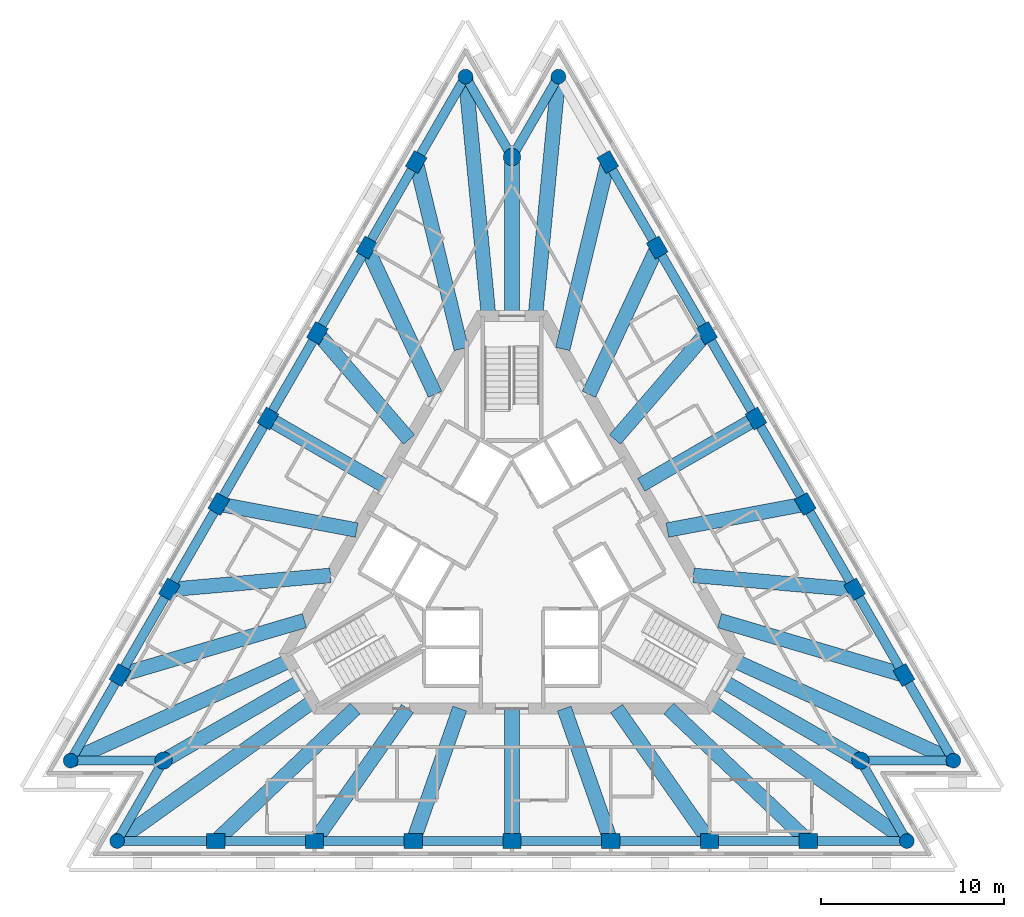
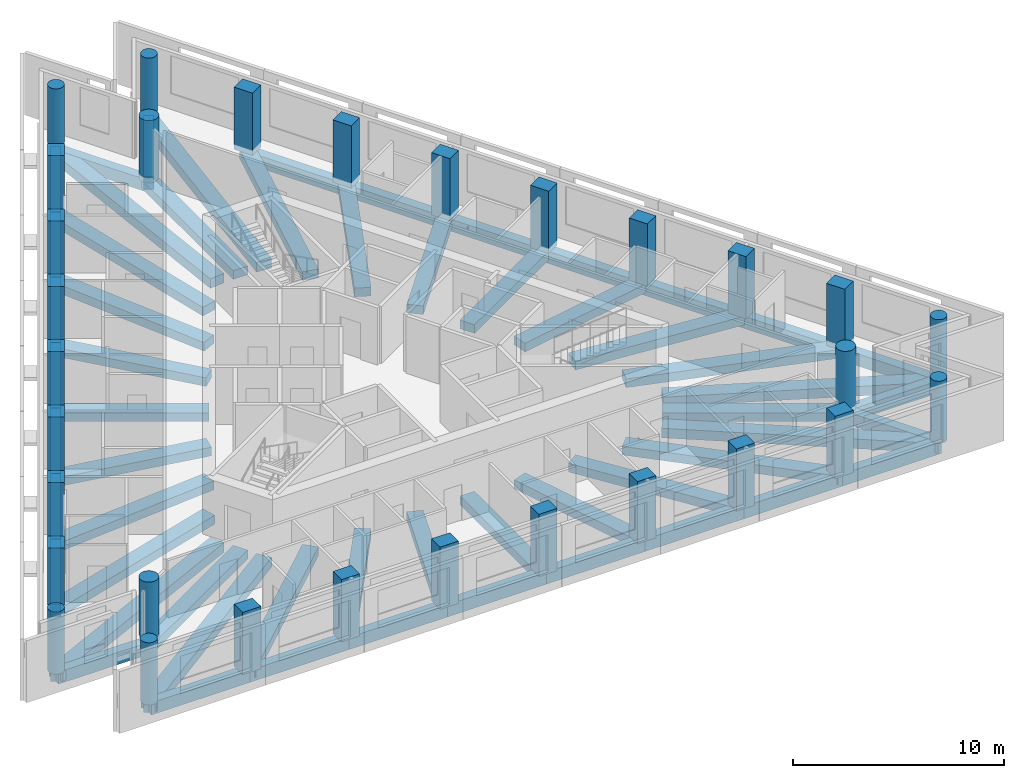
# One storey, part 1 of 10: 59 beams, 30 columns.
"""IFC4 building model written with IfcOpenShell, lengths in metres."""

import ifcopenshell
import ifcopenshell.guid

model = None  # the IFC model being written
_history = None  # IfcOwnerHistory: only IFC2X3 demands one
_inside = {}  # id of a spatial element -> (the spatial element, [elements in it])
_under = {}  # id of a project, library or spatial element -> (it, [spatial elements below it])
_declared = {}  # id of a project -> (the project, [libraries it declares])
_typed = {}  # id of a type object -> (the type object, [elements of that type])
_made_of = {}  # id of a material, layer set ... -> (it, [elements and type objects made of it])


def new_model(schema):
    """Start an empty IFC model of exactly this schema.

    Asked for "IFC4X3", IfcOpenShell would pick the latest addendum, in which some entities
    have other attributes; the version numbers below select the first issue.
    IFC2X3 requires an IfcOwnerHistory on every rooted entity: one is made here for all.
    """
    global model, _history
    if schema == "IFC4X3":
        model = ifcopenshell.file(schema_version=(4, 3, 0, 0))
    else:
        model = ifcopenshell.file(schema=schema)
    _inside.clear()
    _under.clear()
    _declared.clear()
    _typed.clear()
    _made_of.clear()
    _history = None
    if model.schema == "IFC2X3":
        org = make("IfcOrganization", Name="unknown")
        user = make(
            "IfcPersonAndOrganization",
            ThePerson=make("IfcPerson", FamilyName="unknown"),
            TheOrganization=org,
        )
        app = make(
            "IfcApplication",
            ApplicationDeveloper=org,
            Version="unknown",
            ApplicationFullName="unknown",
            ApplicationIdentifier="unknown",
        )
        _history = make(
            "IfcOwnerHistory",
            OwningUser=user,
            OwningApplication=app,
            ChangeAction="ADDED",
            CreationDate=0,
        )
    return model


def make(cls, **values):
    """One entity of the class cls with the attributes given. An attribute that is None is left unset."""
    return model.create_entity(
        cls, **{name: value for name, value in values.items() if value is not None}
    )


def rooted(cls, **values):
    """An entity with a GlobalId (a new one), such as an element, a storey or a relation."""
    return make(cls, GlobalId=ifcopenshell.guid.new(), OwnerHistory=_history, **values)


def si_unit(unit_type, name, prefix=None):
    """IfcSIUnit, for example si_unit("LENGTHUNIT", "METRE", prefix="MILLI")."""
    return make("IfcSIUnit", UnitType=unit_type, Prefix=prefix, Name=name)


def assignment(units):
    """IfcUnitAssignment: the units of a project."""
    return None if units is None else make("IfcUnitAssignment", Units=units)


def point(xyz):
    """IfcCartesianPoint."""
    return None if xyz is None else make("IfcCartesianPoint", Coordinates=xyz)


def direction(xyz):
    """IfcDirection."""
    return None if xyz is None else make("IfcDirection", DirectionRatios=xyz)


def frame(location, z_axis=None, x_axis=None):
    """IfcAxis2Placement3D, a coordinate frame: its origin and axes. An axis left out is left unset."""
    return make(
        "IfcAxis2Placement3D",
        Location=point(location),
        Axis=direction(z_axis),
        RefDirection=direction(x_axis),
    )


def frame_2d(location, x_axis=None):
    """IfcAxis2Placement2D, a coordinate frame in the plane: its origin and x axis."""
    return make(
        "IfcAxis2Placement2D", Location=point(location), RefDirection=direction(x_axis)
    )


def origin():
    """The frame at (0, 0, 0) with its axes left unset."""
    return frame((0.0, 0.0, 0.0))


def origin_2d():
    """The frame at (0, 0) in the plane with its x axis left unset."""
    return frame_2d((0.0, 0.0))


def place(relative_to, where):
    """IfcLocalPlacement: puts the frame where relative to a parent placement (None: the world)."""
    return make(
        "IfcLocalPlacement", PlacementRelTo=relative_to, RelativePlacement=where
    )


def context(
    kind, dimensions, precision=None, world=None, true_north=None, identifier=None
):
    """IfcGeometricRepresentationContext, for example the 3D "Model" context."""
    return make(
        "IfcGeometricRepresentationContext",
        ContextIdentifier=identifier,
        ContextType=kind,
        CoordinateSpaceDimension=dimensions,
        Precision=precision,
        WorldCoordinateSystem=world,
        TrueNorth=true_north,
    )


def subcontext(parent, identifier, kind, view, scale=None):
    """IfcGeometricRepresentationSubContext, for example "Body" below "Model"."""
    return make(
        "IfcGeometricRepresentationSubContext",
        ContextIdentifier=identifier,
        ContextType=kind,
        ParentContext=parent,
        TargetScale=scale,
        TargetView=view,
    )


def project(units=None, contexts=None):
    """IfcProject with its units and contexts."""
    return rooted(
        "IfcProject",
        Name="project",
        RepresentationContexts=contexts,
        UnitsInContext=assignment(units),
    )


def spatial(cls, under=None, at=None, **own):
    """A site, building, storey or space (cls), placed at a placement, below another one or the project."""
    s = rooted(cls, ObjectPlacement=at, **own)
    if under is not None:
        _under.setdefault(under.id(), (under, []))[1].append(s)
    return s


def profile(cls, at=None, kind="AREA", **sizes):
    """A parametric profile (cls). Its sizes go by their IFC names, for example OverallWidth=200.0."""
    return make(cls, ProfileType=kind, Position=at, **sizes)


def rectangle(**sizes):
    """IfcRectangleProfileDef."""
    return profile("IfcRectangleProfileDef", **sizes)


def circle(**sizes):
    """IfcCircleProfileDef."""
    return profile("IfcCircleProfileDef", **sizes)


def extrude(swept, where, along, depth):
    """IfcExtrudedAreaSolid: the profile swept, set in the frame where, extruded along a direction by depth."""
    return make(
        "IfcExtrudedAreaSolid",
        SweptArea=swept,
        Position=where,
        ExtrudedDirection=direction(along),
        Depth=depth,
    )


def shape(context_of_items, identifier, shape_type, items):
    """IfcShapeRepresentation: the items that make up one representation, for example the "Body"."""
    return make(
        "IfcShapeRepresentation",
        ContextOfItems=context_of_items,
        RepresentationIdentifier=identifier,
        RepresentationType=shape_type,
        Items=items,
    )


def material(Name=None, Category=None):
    """IfcMaterial."""
    return make("IfcMaterial", Name=Name, Category=Category)


def material_profile(
    of_material, cross_section, Name=None, Category=None, Priority=None
):
    """IfcMaterialProfile: a cross section and its material."""
    return make(
        "IfcMaterialProfile",
        Name=Name,
        Material=of_material,
        Profile=cross_section,
        Priority=Priority,
        Category=Category,
    )


def profile_set(profiles, Name=None, composite=None):
    """IfcMaterialProfileSet."""
    return make(
        "IfcMaterialProfileSet",
        Name=Name,
        MaterialProfiles=profiles,
        CompositeProfile=composite,
    )


def made_of(thing, what):
    """Note that an element or type object is made of a material, layer set ...; save() writes the relation."""
    if what is not None:
        _made_of.setdefault(what.id(), (what, []))[1].append(thing)
    return thing


def type_object(cls, material=None, **own):
    """A type object (cls), such as IfcWallType, which elements share."""
    return made_of(rooted(cls, **own), material)


def element(
    cls,
    number,
    at=None,
    inside=None,
    cuts=None,
    type_object=None,
    material=None,
    context=None,
    identifier="Body",
    shape_type=None,
    held_by="IfcProductDefinitionShape",
    body=None,
    shapes=None,
    **own,
):
    """One element of the class cls, such as IfcWall. Its Tag is "e" and its number.

    at: its placement. inside: the storey or other place that contains it. cuts: it is an
    opening in that element (IfcRelVoidsElement). A single representation is given by context,
    identifier, shape_type and body (its items); several are given by shapes. held_by: the class
    of the entity that holds the representations. save() writes the other relations.
    """
    e = rooted(cls, Tag="e%d" % number, ObjectPlacement=at, **own)
    if body is not None:
        shapes = [shape(context, identifier, shape_type, body)]
    if shapes is not None:
        e.Representation = make(held_by, Representations=shapes)
    if inside is not None:
        _inside.setdefault(inside.id(), (inside, []))[1].append(e)
    if cuts is not None:
        rooted(
            "IfcRelVoidsElement", RelatingBuildingElement=cuts, RelatedOpeningElement=e
        )
    if type_object is not None:
        _typed.setdefault(type_object.id(), (type_object, []))[1].append(e)
    return made_of(e, material)


def aggregate(whole, parts):
    """IfcRelAggregates: a whole, such as a stair, and the parts it consists of."""
    return rooted("IfcRelAggregates", RelatingObject=whole, RelatedObjects=parts)


def save(model, path):
    """Write the relations noted so far, then the file.

    IfcRelAggregates (storeys below a building ...), IfcRelContainedInSpatialStructure (elements
    in a storey), IfcRelDefinesByType, IfcRelAssociatesMaterial and IfcRelDeclares: one each for
    every whole, place, type object, material and project.
    """
    for whole, parts in _under.values():
        aggregate(whole, parts)
    for where, things in _inside.values():
        rooted(
            "IfcRelContainedInSpatialStructure",
            RelatedElements=things,
            RelatingStructure=where,
        )
    for kind, things in _typed.values():
        rooted("IfcRelDefinesByType", RelatedObjects=things, RelatingType=kind)
    for what, things in _made_of.values():
        rooted("IfcRelAssociatesMaterial", RelatedObjects=things, RelatingMaterial=what)
    for by, libraries in _declared.values():
        rooted("IfcRelDeclares", RelatingContext=by, RelatedDefinitions=libraries)
    model.write(path)


model = new_model("IFC4")

# Units and contexts
model_context = context("Model", 3, precision=1e-05, world=origin(), true_north=direction((0.0, 1.0)))
body_context = subcontext(model_context, "Body", "Model", "MODEL_VIEW")
ifc_project = project(units=[si_unit("LENGTHUNIT", "METRE"), si_unit("AREAUNIT", "SQUARE_METRE"), si_unit("VOLUMEUNIT", "CUBIC_METRE"), si_unit("PLANEANGLEUNIT", "RADIAN"), si_unit("MASSUNIT", "GRAM", prefix="KILO")], contexts=[model_context])

# Site, building, storey
site_placement = place(None, origin())
site = spatial("IfcSite", under=ifc_project, at=site_placement, CompositionType="ELEMENT")
building_placement = place(site_placement, origin())
building = spatial("IfcBuilding", under=site, at=building_placement, Name="Triada Interchange Tower", CompositionType="ELEMENT")
storey_placement = place(building_placement, frame((0.0, 0.0, 297.10009765625)))
storey = spatial("IfcBuildingStorey", under=building, at=storey_placement, Name="L70", CompositionType="ELEMENT", Elevation=297.10009765625)

# Columns
ifc_material_1 = material(Name="Concrete C40/50", Category="concrete")
ifc_material_profile_1 = material_profile(ifc_material_1, rectangle(XDim=1.0, YDim=0.800048828125, at=origin_2d()), Name="RC 1000x800")
ifc_profile_set_1 = profile_set([ifc_material_profile_1], Name="Concrete C40/50")
column_type_1 = type_object("IfcColumnType", Name="Column D face RC 1000x800", PredefinedType="COLUMN", material=ifc_profile_set_1)
for number, where, z_axis, x_axis, name in (
    (1, (-5.236083984375, 21.7099609375, -0.300048828125), (0.0, 0.0, 1.0), (0.5, 0.866025403784, 0.0), "Column CD02 L70"),
    (2, (-7.93408203125, 17.0380859375, -0.300048828125), (0.0, 0.0, 1.0), (0.5, 0.866025403784, 0.0), "Column CD03 L70"),
    (3, (-10.631103515625, 12.366943359375, -0.300048828125), (0.0, 0.0, 1.0), (0.5, 0.866025403784, 0.0), "Column CD04 L70"),
    (4, (-13.327880859375, 7.695068359375, -0.300048828125), (0.0, 0.0, 1.0), (0.5, 0.866025403784, 0.0), "Column CD05 L70"),
    (5, (-16.02490234375, 3.02294921875, -0.300048828125), (0.0, 0.0, 1.0), (0.5, 0.866025403784, 0.0), "Column CD06 L70"),
    (6, (-18.721923828125, -1.64892578125, -0.300048828125), (0.0, 0.0, 1.0), (0.5, 0.866025403784, 0.0), "Column CD07 L70"),
    (7, (-21.419921875, -6.320068359375, -0.300048828125), (0.0, 0.0, 1.0), (0.5, 0.866025403784, 0.0), "Column CD08 L70"),
    (8, (-16.18310546875, -15.389892578125, -0.300048828125), (0.0, 0.0, 1.0), (1.0, 0.0, 0.0), "Column CD11 L70"),
    (9, (-10.7880859375, -15.389892578125, -0.300048828125), (0.0, 0.0, 1.0), (1.0, 0.0, 0.0), "Column CD12 L70"),
    (10, (-5.39404296875, -15.389892578125, -0.300048828125), (0.0, 0.0, 1.0), (1.0, 0.0, 0.0), "Column CD13 L70"),
    (11, (0.0, -15.389892578125, -0.300048828125), (0.0, 0.0, 1.0), (1.0, 0.0, 0.0), "Column CD14 L70"),
    (12, (5.39404296875, -15.389892578125, -0.300048828125), (0.0, 0.0, 1.0), (1.0, 0.0, 0.0), "Column CD15 L70"),
    (13, (10.7890625, -15.389892578125, -0.300048828125), (0.0, 0.0, 1.0), (1.0, 0.0, 0.0), "Column CD16 L70"),
    (14, (16.18310546875, -15.389892578125, -0.300048828125), (0.0, 0.0, 1.0), (1.0, 0.0, 0.0), "Column CD17 L70"),
    (15, (21.419921875, -6.320068359375, -0.300048828125), (0.0, 0.0, 1.0), (-0.5, 0.866025403784, 0.0), "Column CD20 L70"),
    (16, (18.721923828125, -1.64892578125, -0.300048828125), (0.0, 0.0, 1.0), (-0.5, 0.866025403784, 0.0), "Column CD21 L70"),
    (17, (16.02490234375, 3.02294921875, -0.300048828125), (0.0, 0.0, 1.0), (-0.5, 0.866025403784, 0.0), "Column CD22 L70"),
    (18, (13.327880859375, 7.695068359375, -0.300048828125), (0.0, 0.0, 1.0), (-0.5, 0.866025403784, 0.0), "Column CD23 L70"),
    (19, (10.631103515625, 12.366943359375, -0.300048828125), (0.0, 0.0, 1.0), (-0.5, 0.866025403784, 0.0), "Column CD24 L70"),
    (20, (7.93408203125, 17.0390625, -0.300048828125), (0.0, 0.0, 1.0), (-0.5, 0.866025403784, 0.0), "Column CD25 L70"),
    (21, (5.236083984375, 21.7099609375, -0.300048828125), (0.0, 0.0, 1.0), (-0.5, 0.866025403784, 0.0), "Column CD26 L70"),
):
    element("IfcColumn", number, at=place(storey_placement, frame(where, z_axis=z_axis, x_axis=x_axis)), inside=storey, type_object=column_type_1, Name=name, PredefinedType="COLUMN", context=body_context, shape_type="SweptSolid", body=[
        extrude(rectangle(XDim=1.0, YDim=0.800048828125, at=origin_2d()), origin(), (0.0, 0.0, 1.0), 3.599853515625),
    ])
ifc_material_profile_2 = material_profile(ifc_material_1, circle(Radius=0.39990234375, at=origin_2d()), Name="RC D800")
ifc_profile_set_2 = profile_set([ifc_material_profile_2], Name="Concrete C40/50")
column_type_2 = type_object("IfcColumnType", Name="End column D RC D800", PredefinedType="COLUMN", material=ifc_profile_set_2)
for number, where, z_axis, x_axis, name in (
    (22, (-2.5390625, 26.382080078125, -0.300048828125), (0.0, 0.0, 1.0), (0.5, 0.866025403784, 0.0), "Column CD01 L70"),
    (23, (-24.116943359375, -10.991943359375, -0.300048828125), (0.0, 0.0, 1.0), (0.5, 0.866025403784, 0.0), "Column CD09 L70"),
    (24, (-21.576904296875, -15.389892578125, -0.300048828125), (0.0, 0.0, 1.0), (1.0, 0.0, 0.0), "Column CD10 L70"),
    (25, (21.576904296875, -15.389892578125, -0.300048828125), (0.0, 0.0, 1.0), (1.0, 0.0, 0.0), "Column CD18 L70"),
    (26, (24.116943359375, -10.991943359375, -0.300048828125), (0.0, 0.0, 1.0), (-0.5, 0.866025403784, 0.0), "Column CD19 L70"),
    (27, (2.5390625, 26.382080078125, -0.300048828125), (0.0, 0.0, 1.0), (-0.5, 0.866025403784, 0.0), "Column CD27 L70"),
):
    element("IfcColumn", number, at=place(storey_placement, frame(where, z_axis=z_axis, x_axis=x_axis)), inside=storey, type_object=column_type_2, Name=name, PredefinedType="COLUMN", context=body_context, shape_type="SweptSolid", body=[
        extrude(circle(Radius=0.39990234375, at=origin_2d()), origin(), (0.0, 0.0, 1.0), 3.599853515625),
    ])
ifc_material_profile_3 = material_profile(ifc_material_1, circle(Radius=0.47509765625, at=origin_2d()), Name="RC D950")
ifc_profile_set_3 = profile_set([ifc_material_profile_3], Name="Concrete C40/50")
column_type_3 = type_object("IfcColumnType", Name="Mega column D RC D950", PredefinedType="COLUMN", material=ifc_profile_set_3)
for number, where, z_axis, x_axis, name in (
    (28, (0.0, 21.98291015625, -0.300048828125), (0.0, 0.0, 1.0), (1.0, 0.0, 0.0), "Column MD1 L70"),
    (29, (-19.0380859375, -10.991943359375, -0.300048828125), (0.0, 0.0, 1.0), (1.0, 0.0, 0.0), "Column MD2 L70"),
    (30, (19.0380859375, -10.991943359375, -0.300048828125), (0.0, 0.0, 1.0), (1.0, 0.0, 0.0), "Column MD3 L70"),
):
    element("IfcColumn", number, at=place(storey_placement, frame(where, z_axis=z_axis, x_axis=x_axis)), inside=storey, type_object=column_type_3, Name=name, PredefinedType="COLUMN", context=body_context, shape_type="SweptSolid", body=[
        extrude(circle(Radius=0.47509765625, at=origin_2d()), origin(), (0.0, 0.0, 1.0), 3.599853515625),
    ])

# Beams
ifc_material_2 = material(Name="Concrete C50/60", Category="concrete")
ifc_material_profile_4 = material_profile(ifc_material_2, rectangle(XDim=0.800048828125, YDim=0.5, at=origin_2d()), Name="RC 800x500")
ifc_profile_set_4 = profile_set([ifc_material_profile_4], Name="Concrete C50/60")
beam_type_1 = type_object("IfcBeamType", Name="Radial band beam D RC 800x500", PredefinedType="BEAM", material=ifc_profile_set_4)
beam_1_placement = place(storey_placement, frame((-5.236083984375, 21.7099609375, -0.550048828125), z_axis=(0.234456524391, -0.97212660604, 0.0), x_axis=(0.97212660604, 0.234456524391, 0.0)))
element("IfcBeam", 31, at=beam_1_placement, inside=storey, type_object=beam_type_1, Name="Radial band beam BD02 L70", PredefinedType="BEAM", context=body_context, shape_type="SweptSolid", body=[
    extrude(rectangle(XDim=0.800048828125, YDim=0.5, at=origin_2d()), origin(), (0.0, 0.0, 1.0), 10.505615234375),
])
beam_2_placement = place(storey_placement, frame((-7.93408203125, 17.0380859375, -0.550048828125), z_axis=(0.422121923077, -0.906539068137, 0.0), x_axis=(0.906539068137, 0.422121923077, 0.0)))
element("IfcBeam", 32, at=beam_2_placement, inside=storey, type_object=beam_type_1, Name="Radial band beam BD03 L70", PredefinedType="BEAM", context=body_context, shape_type="SweptSolid", body=[
    extrude(rectangle(XDim=0.800048828125, YDim=0.5, at=origin_2d()), origin(), (0.0, 0.0, 1.0), 8.841552734375),
])
beam_3_placement = place(storey_placement, frame((-10.631103515625, 12.366943359375, -0.550048828125), z_axis=(0.651878277137, -0.758323619437, 0.0), x_axis=(0.758323619437, 0.651878277137, 0.0)))
element("IfcBeam", 33, at=beam_3_placement, inside=storey, type_object=beam_type_1, Name="Radial band beam BD04 L70", PredefinedType="BEAM", context=body_context, shape_type="SweptSolid", body=[
    extrude(rectangle(XDim=0.800048828125, YDim=0.5, at=origin_2d()), origin(), (0.0, 0.0, 1.0), 7.672119140625),
])
beam_4_placement = place(storey_placement, frame((-13.327880859375, 7.695068359375, -0.550048828125), z_axis=(0.866009812298, -0.500027004274, 0.0), x_axis=(0.500027004274, 0.866009812298, 0.0)))
element("IfcBeam", 34, at=beam_4_placement, inside=storey, type_object=beam_type_1, Name="Radial band beam BD05 L70", PredefinedType="BEAM", context=body_context, shape_type="SweptSolid", body=[
    extrude(rectangle(XDim=0.800048828125, YDim=0.5, at=origin_2d()), origin(), (0.0, 0.0, 1.0), 7.23974609375),
])
beam_5_placement = place(storey_placement, frame((-16.02490234375, 3.02294921875, -0.550048828125), z_axis=(0.982674560134, -0.185339442282, 0.0), x_axis=(0.185339442282, 0.982674560134, 0.0)))
element("IfcBeam", 35, at=beam_5_placement, inside=storey, type_object=beam_type_1, Name="Radial band beam BD06 L70", PredefinedType="BEAM", context=body_context, shape_type="SweptSolid", body=[
    extrude(rectangle(XDim=0.800048828125, YDim=0.5, at=origin_2d()), origin(), (0.0, 0.0, 1.0), 7.671630859375),
])
beam_6_placement = place(storey_placement, frame((-18.721923828125, -1.64892578125, -0.550048828125), z_axis=(0.996141716399, 0.087759220878, 0.0), x_axis=(-0.087759220878, 0.996141716399, 0.0)))
element("IfcBeam", 36, at=beam_6_placement, inside=storey, type_object=beam_type_1, Name="Radial band beam BD07 L70", PredefinedType="BEAM", context=body_context, shape_type="SweptSolid", body=[
    extrude(rectangle(XDim=0.800048828125, YDim=0.5, at=origin_2d()), origin(), (0.0, 0.0, 1.0), 8.841064453125),
])
beam_7_placement = place(storey_placement, frame((-21.419921875, -6.320068359375, -0.550048828125), z_axis=(0.95912426732, 0.282985229011, 0.0), x_axis=(-0.282985229011, 0.95912426732, 0.0)))
element("IfcBeam", 37, at=beam_7_placement, inside=storey, type_object=beam_type_1, Name="Radial band beam BD08 L70", PredefinedType="BEAM", context=body_context, shape_type="SweptSolid", body=[
    extrude(rectangle(XDim=0.800048828125, YDim=0.5, at=origin_2d()), origin(), (0.0, 0.0, 1.0), 10.50634765625),
])
beam_8_placement = place(storey_placement, frame((-19.0380859375, -10.991943359375, -0.550048828125), z_axis=(0.866007665204, 0.500030722864, 0.0), x_axis=(-0.500030722864, 0.866007665204, 0.0)))
element("IfcBeam", 38, at=beam_8_placement, inside=storey, type_object=beam_type_1, Name="Radial band beam BD10 L70", PredefinedType="BEAM", context=body_context, shape_type="SweptSolid", body=[
    extrude(rectangle(XDim=0.800048828125, YDim=0.5, at=origin_2d()), origin(), (0.0, 0.0, 1.0), 8.68359375),
])
beam_9_placement = place(storey_placement, frame((-16.18310546875, -15.389892578125, -0.550048828125), z_axis=(0.724637873853, 0.689129851173, 0.0), x_axis=(-0.689129851173, 0.724637873853, 0.0)))
element("IfcBeam", 39, at=beam_9_placement, inside=storey, type_object=beam_type_1, Name="Radial band beam BD12 L70", PredefinedType="BEAM", context=body_context, shape_type="SweptSolid", body=[
    extrude(rectangle(XDim=0.800048828125, YDim=0.5, at=origin_2d()), origin(), (0.0, 0.0, 1.0), 10.506103515625),
])
beam_10_placement = place(storey_placement, frame((-10.7880859375, -15.389892578125, -0.550048828125), z_axis=(0.574008907358, 0.818849054633, 0.0), x_axis=(-0.818849054633, 0.574008907358, 0.0)))
element("IfcBeam", 40, at=beam_10_placement, inside=storey, type_object=beam_type_1, Name="Radial band beam BD13 L70", PredefinedType="BEAM", context=body_context, shape_type="SweptSolid", body=[
    extrude(rectangle(XDim=0.800048828125, YDim=0.5, at=origin_2d()), origin(), (0.0, 0.0, 1.0), 8.841552734375),
])
beam_11_placement = place(storey_placement, frame((-5.39404296875, -15.389892578125, -0.550048828125), z_axis=(0.330825237712, 0.94369203774, 0.0), x_axis=(-0.94369203774, 0.330825237712, 0.0)))
element("IfcBeam", 41, at=beam_11_placement, inside=storey, type_object=beam_type_1, Name="Radial band beam BD14 L70", PredefinedType="BEAM", context=body_context, shape_type="SweptSolid", body=[
    extrude(rectangle(XDim=0.800048828125, YDim=0.5, at=origin_2d()), origin(), (0.0, 0.0, 1.0), 7.671875),
])
beam_12_placement = place(storey_placement, frame((0.0, -15.389892578125, -0.550048828125), z_axis=(0.0, 1.0, 0.0), x_axis=(-1.0, 0.0, 0.0)))
element("IfcBeam", 42, at=beam_12_placement, inside=storey, type_object=beam_type_1, Name="Radial band beam BD15 L70", PredefinedType="BEAM", context=body_context, shape_type="SweptSolid", body=[
    extrude(rectangle(XDim=0.800048828125, YDim=0.5, at=origin_2d()), origin(), (0.0, 0.0, 1.0), 7.239990234375),
])
beam_13_placement = place(storey_placement, frame((5.39404296875, -15.389892578125, -0.550048828125), z_axis=(-0.330825237712, 0.94369203774, 0.0), x_axis=(-0.94369203774, -0.330825237712, 0.0)))
element("IfcBeam", 43, at=beam_13_placement, inside=storey, type_object=beam_type_1, Name="Radial band beam BD16 L70", PredefinedType="BEAM", context=body_context, shape_type="SweptSolid", body=[
    extrude(rectangle(XDim=0.800048828125, YDim=0.5, at=origin_2d()), origin(), (0.0, 0.0, 1.0), 7.671875),
])
beam_14_placement = place(storey_placement, frame((10.7890625, -15.389892578125, -0.550048828125), z_axis=(-0.574082958595, 0.818797140109, 0.0), x_axis=(-0.818797140109, -0.574082958595, 0.0)))
element("IfcBeam", 44, at=beam_14_placement, inside=storey, type_object=beam_type_1, Name="Radial band beam BD17 L70", PredefinedType="BEAM", context=body_context, shape_type="SweptSolid", body=[
    extrude(rectangle(XDim=0.800048828125, YDim=0.5, at=origin_2d()), origin(), (0.0, 0.0, 1.0), 8.84228515625),
])
beam_15_placement = place(storey_placement, frame((16.18310546875, -15.389892578125, -0.550048828125), z_axis=(-0.724637873853, 0.689129851173, 0.0), x_axis=(-0.689129851173, -0.724637873853, 0.0)))
element("IfcBeam", 45, at=beam_15_placement, inside=storey, type_object=beam_type_1, Name="Radial band beam BD18 L70", PredefinedType="BEAM", context=body_context, shape_type="SweptSolid", body=[
    extrude(rectangle(XDim=0.800048828125, YDim=0.5, at=origin_2d()), origin(), (0.0, 0.0, 1.0), 10.506103515625),
])
beam_16_placement = place(storey_placement, frame((19.0380859375, -10.991943359375, -0.550048828125), z_axis=(-0.866007665204, 0.500030722864, 0.0), x_axis=(-0.500030722864, -0.866007665204, 0.0)))
element("IfcBeam", 46, at=beam_16_placement, inside=storey, type_object=beam_type_1, Name="Radial band beam BD20 L70", PredefinedType="BEAM", context=body_context, shape_type="SweptSolid", body=[
    extrude(rectangle(XDim=0.800048828125, YDim=0.5, at=origin_2d()), origin(), (0.0, 0.0, 1.0), 8.68359375),
])
beam_17_placement = place(storey_placement, frame((21.419921875, -6.320068359375, -0.550048828125), z_axis=(-0.95912426732, 0.282985229011, 0.0), x_axis=(-0.282985229011, -0.95912426732, 0.0)))
element("IfcBeam", 47, at=beam_17_placement, inside=storey, type_object=beam_type_1, Name="Radial band beam BD22 L70", PredefinedType="BEAM", context=body_context, shape_type="SweptSolid", body=[
    extrude(rectangle(XDim=0.800048828125, YDim=0.5, at=origin_2d()), origin(), (0.0, 0.0, 1.0), 10.50634765625),
])
beam_18_placement = place(storey_placement, frame((18.721923828125, -1.64892578125, -0.550048828125), z_axis=(-0.996141716399, 0.087759220878, 0.0), x_axis=(-0.087759220878, -0.996141716399, 0.0)))
element("IfcBeam", 48, at=beam_18_placement, inside=storey, type_object=beam_type_1, Name="Radial band beam BD23 L70", PredefinedType="BEAM", context=body_context, shape_type="SweptSolid", body=[
    extrude(rectangle(XDim=0.800048828125, YDim=0.5, at=origin_2d()), origin(), (0.0, 0.0, 1.0), 8.841064453125),
])
beam_19_placement = place(storey_placement, frame((16.02490234375, 3.02294921875, -0.550048828125), z_axis=(-0.982674560134, -0.185339442282, 0.0), x_axis=(0.185339442282, -0.982674560134, 0.0)))
element("IfcBeam", 49, at=beam_19_placement, inside=storey, type_object=beam_type_1, Name="Radial band beam BD24 L70", PredefinedType="BEAM", context=body_context, shape_type="SweptSolid", body=[
    extrude(rectangle(XDim=0.800048828125, YDim=0.5, at=origin_2d()), origin(), (0.0, 0.0, 1.0), 7.671630859375),
])
beam_20_placement = place(storey_placement, frame((13.327880859375, 7.695068359375, -0.550048828125), z_axis=(-0.866009812298, -0.500027004274, 0.0), x_axis=(0.500027004274, -0.866009812298, 0.0)))
element("IfcBeam", 50, at=beam_20_placement, inside=storey, type_object=beam_type_1, Name="Radial band beam BD25 L70", PredefinedType="BEAM", context=body_context, shape_type="SweptSolid", body=[
    extrude(rectangle(XDim=0.800048828125, YDim=0.5, at=origin_2d()), origin(), (0.0, 0.0, 1.0), 7.23974609375),
])
beam_21_placement = place(storey_placement, frame((10.631103515625, 12.366943359375, -0.550048828125), z_axis=(-0.651878277137, -0.758323619437, 0.0), x_axis=(0.758323619437, -0.651878277137, 0.0)))
element("IfcBeam", 51, at=beam_21_placement, inside=storey, type_object=beam_type_1, Name="Radial band beam BD26 L70", PredefinedType="BEAM", context=body_context, shape_type="SweptSolid", body=[
    extrude(rectangle(XDim=0.800048828125, YDim=0.5, at=origin_2d()), origin(), (0.0, 0.0, 1.0), 7.672119140625),
])
beam_22_placement = place(storey_placement, frame((7.93408203125, 17.0390625, -0.550048828125), z_axis=(-0.422170419814, -0.90651648448, 0.0), x_axis=(0.90651648448, -0.422170419814, 0.0)))
element("IfcBeam", 52, at=beam_22_placement, inside=storey, type_object=beam_type_1, Name="Radial band beam BD27 L70", PredefinedType="BEAM", context=body_context, shape_type="SweptSolid", body=[
    extrude(rectangle(XDim=0.800048828125, YDim=0.5, at=origin_2d()), origin(), (0.0, 0.0, 1.0), 8.8427734375),
])
beam_23_placement = place(storey_placement, frame((5.236083984375, 21.7099609375, -0.550048828125), z_axis=(-0.234456524391, -0.97212660604, 0.0), x_axis=(0.97212660604, -0.234456524391, 0.0)))
element("IfcBeam", 53, at=beam_23_placement, inside=storey, type_object=beam_type_1, Name="Radial band beam BD28 L70", PredefinedType="BEAM", context=body_context, shape_type="SweptSolid", body=[
    extrude(rectangle(XDim=0.800048828125, YDim=0.5, at=origin_2d()), origin(), (0.0, 0.0, 1.0), 10.505615234375),
])
beam_24_placement = place(storey_placement, frame((0.0, 21.98291015625, -0.550048828125), z_axis=(0.0, -1.0, 0.0), x_axis=(1.0, 0.0, 0.0)))
element("IfcBeam", 54, at=beam_24_placement, inside=storey, type_object=beam_type_1, Name="Radial band beam BD30 L70", PredefinedType="BEAM", context=body_context, shape_type="SweptSolid", body=[
    extrude(rectangle(XDim=0.800048828125, YDim=0.5, at=origin_2d()), origin(), (0.0, 0.0, 1.0), 8.682861328125),
])
ifc_material_profile_5 = material_profile(ifc_material_2, rectangle(XDim=0.800048828125, YDim=0.550048828125, at=origin_2d()), Name="RC 800x550")
ifc_profile_set_5 = profile_set([ifc_material_profile_5], Name="Concrete C50/60")
beam_type_2 = type_object("IfcBeamType", Name="Radial band beam D RC 800x550", PredefinedType="BEAM", material=ifc_profile_set_5)
for number, where, z_axis, x_axis, name in (
    (55, (-2.5390625, 26.382080078125, -0.5751953125), (0.095798774203, -0.995400720746, 0.0), (0.995400720746, 0.095798774203, 0.0), "Radial band beam BD01 L70"),
    (56, (-24.116943359375, -10.991943359375, -0.5751953125), (0.909935297059, 0.414750232268, 0.0), (-0.414750232268, 0.909935297059, 0.0), "Radial band beam BD09 L70"),
):
    element("IfcBeam", number, at=place(storey_placement, frame(where, z_axis=z_axis, x_axis=x_axis)), inside=storey, type_object=beam_type_2, Name=name, PredefinedType="BEAM", context=body_context, shape_type="SweptSolid", body=[
        extrude(rectangle(XDim=0.800048828125, YDim=0.550048828125, at=origin_2d()), origin(), (0.0, 0.0, 1.0), 13.142578125),
    ])
for number, where, z_axis, x_axis, name in (
    (57, (-21.576904296875, -15.389892578125, -0.5751953125), (0.81413872305, 0.580670422555, 0.0), (-0.580670422555, 0.81413872305, 0.0), "Radial band beam BD11 L70"),
    (58, (21.576904296875, -15.389892578125, -0.5751953125), (-0.81413872305, 0.580670422555, 0.0), (-0.580670422555, -0.81413872305, 0.0), "Radial band beam BD19 L70"),
):
    element("IfcBeam", number, at=place(storey_placement, frame(where, z_axis=z_axis, x_axis=x_axis)), inside=storey, type_object=beam_type_2, Name=name, PredefinedType="BEAM", context=body_context, shape_type="SweptSolid", body=[
        extrude(rectangle(XDim=0.800048828125, YDim=0.550048828125, at=origin_2d()), origin(), (0.0, 0.0, 1.0), 13.141357421875),
    ])
for number, where, z_axis, x_axis, name in (
    (59, (24.116943359375, -10.991943359375, -0.5751953125), (-0.909935297059, 0.414750232268, 0.0), (-0.414750232268, -0.909935297059, 0.0), "Radial band beam BD21 L70"),
    (60, (2.5390625, 26.382080078125, -0.5751953125), (-0.095798774203, -0.995400720746, 0.0), (0.995400720746, -0.095798774203, 0.0), "Radial band beam BD29 L70"),
):
    element("IfcBeam", number, at=place(storey_placement, frame(where, z_axis=z_axis, x_axis=x_axis)), inside=storey, type_object=beam_type_2, Name=name, PredefinedType="BEAM", context=body_context, shape_type="SweptSolid", body=[
        extrude(rectangle(XDim=0.800048828125, YDim=0.550048828125, at=origin_2d()), origin(), (0.0, 0.0, 1.0), 13.142578125),
    ])
ifc_material_profile_6 = material_profile(ifc_material_2, rectangle(XDim=0.5, YDim=0.699951171875, at=origin_2d()), Name="RC 500x700")
ifc_profile_set_6 = profile_set([ifc_material_profile_6], Name="Concrete C50/60")
beam_type_3 = type_object("IfcBeamType", Name="Spandrel beam D RC 500x700", PredefinedType="BEAM", material=ifc_profile_set_6)
beam_25_placement = place(storey_placement, frame((-2.5390625, 26.382080078125, -0.650146484375), z_axis=(-0.49994052929, -0.866059736492, 0.0), x_axis=(0.866059736492, -0.49994052929, 0.0)))
element("IfcBeam", 61, at=beam_25_placement, inside=storey, type_object=beam_type_3, Name="Spandrel beam ED01 L70", PredefinedType="BEAM", context=body_context, shape_type="SweptSolid", body=[
    extrude(rectangle(XDim=0.5, YDim=0.699951171875, at=origin_2d()), origin(), (0.0, 0.0, 1.0), 5.394775390625),
])
beam_26_placement = place(storey_placement, frame((-5.236083984375, 21.7099609375, -0.650146484375), z_axis=(-0.500095886128, -0.865970036824, 0.0), x_axis=(0.865970036824, -0.500095886128, 0.0)))
element("IfcBeam", 62, at=beam_26_placement, inside=storey, type_object=beam_type_3, Name="Spandrel beam ED02 L70", PredefinedType="BEAM", context=body_context, shape_type="SweptSolid", body=[
    extrude(rectangle(XDim=0.5, YDim=0.699951171875, at=origin_2d()), origin(), (0.0, 0.0, 1.0), 5.39501953125),
])
beam_27_placement = place(storey_placement, frame((-7.93408203125, 17.0380859375, -0.650146484375), z_axis=(-0.500018918615, -0.866014480842, 0.0), x_axis=(0.866014480842, -0.500018918615, 0.0)))
element("IfcBeam", 63, at=beam_27_placement, inside=storey, type_object=beam_type_3, Name="Spandrel beam ED03 L70", PredefinedType="BEAM", context=body_context, shape_type="SweptSolid", body=[
    extrude(rectangle(XDim=0.5, YDim=0.699951171875, at=origin_2d()), origin(), (0.0, 0.0, 1.0), 5.393798828125),
])
beam_28_placement = place(storey_placement, frame((-10.631103515625, 12.366943359375, -0.650146484375), z_axis=(-0.499926178584, -0.866068020404, 0.0), x_axis=(0.866068020404, -0.499926178584, 0.0)))
element("IfcBeam", 64, at=beam_28_placement, inside=storey, type_object=beam_type_3, Name="Spandrel beam ED04 L70", PredefinedType="BEAM", context=body_context, shape_type="SweptSolid", body=[
    extrude(rectangle(XDim=0.5, YDim=0.699951171875, at=origin_2d()), origin(), (0.0, 0.0, 1.0), 5.394287109375),
])
beam_29_placement = place(storey_placement, frame((-13.327880859375, 7.695068359375, -0.650146484375), z_axis=(-0.49994052929, -0.866059736492, 0.0), x_axis=(0.866059736492, -0.49994052929, 0.0)))
element("IfcBeam", 65, at=beam_29_placement, inside=storey, type_object=beam_type_3, Name="Spandrel beam ED05 L70", PredefinedType="BEAM", context=body_context, shape_type="SweptSolid", body=[
    extrude(rectangle(XDim=0.5, YDim=0.699951171875, at=origin_2d()), origin(), (0.0, 0.0, 1.0), 5.394775390625),
])
beam_30_placement = place(storey_placement, frame((-16.02490234375, 3.02294921875, -0.650146484375), z_axis=(-0.499960124701, -0.866048424575, 0.0), x_axis=(0.866048424575, -0.499960124701, 0.0)))
element("IfcBeam", 66, at=beam_30_placement, inside=storey, type_object=beam_type_3, Name="Spandrel beam ED06 L70", PredefinedType="BEAM", context=body_context, shape_type="SweptSolid", body=[
    extrude(rectangle(XDim=0.5, YDim=0.699951171875, at=origin_2d()), origin(), (0.0, 0.0, 1.0), 5.39453125),
])
beam_31_placement = place(storey_placement, frame((-18.721923828125, -1.64892578125, -0.650146484375), z_axis=(-0.50015468536, -0.865936077729, 0.0), x_axis=(0.865936077729, -0.50015468536, 0.0)))
element("IfcBeam", 67, at=beam_31_placement, inside=storey, type_object=beam_type_3, Name="Spandrel beam ED07 L70", PredefinedType="BEAM", context=body_context, shape_type="SweptSolid", body=[
    extrude(rectangle(XDim=0.5, YDim=0.699951171875, at=origin_2d()), origin(), (0.0, 0.0, 1.0), 5.394287109375),
])
beam_32_placement = place(storey_placement, frame((-21.419921875, -6.320068359375, -0.650146484375), z_axis=(-0.499960124701, -0.866048424575, 0.0), x_axis=(0.866048424575, -0.499960124701, 0.0)))
element("IfcBeam", 68, at=beam_32_placement, inside=storey, type_object=beam_type_3, Name="Spandrel beam ED08 L70", PredefinedType="BEAM", context=body_context, shape_type="SweptSolid", body=[
    extrude(rectangle(XDim=0.5, YDim=0.699951171875, at=origin_2d()), origin(), (0.0, 0.0, 1.0), 5.39453125),
])
beam_33_placement = place(storey_placement, frame((-24.116943359375, -10.991943359375, -0.650146484375), z_axis=(1.0, 0.0, 0.0), x_axis=(0.0, 1.0, 0.0)))
element("IfcBeam", 69, at=beam_33_placement, inside=storey, type_object=beam_type_3, Name="Spandrel beam ED09 L70", PredefinedType="BEAM", context=body_context, shape_type="SweptSolid", body=[
    extrude(rectangle(XDim=0.5, YDim=0.699951171875, at=origin_2d()), origin(), (0.0, 0.0, 1.0), 5.078857421875),
])
beam_34_placement = place(storey_placement, frame((-19.0380859375, -10.991943359375, -0.650146484375), z_axis=(-0.499949960329, -0.866054292275, 0.0), x_axis=(0.866054292275, -0.499949960329, 0.0)))
element("IfcBeam", 70, at=beam_34_placement, inside=storey, type_object=beam_type_3, Name="Spandrel beam ED10 L70", PredefinedType="BEAM", context=body_context, shape_type="SweptSolid", body=[
    extrude(rectangle(XDim=0.5, YDim=0.699951171875, at=origin_2d()), origin(), (0.0, 0.0, 1.0), 5.078125),
])
beam_35_placement = place(storey_placement, frame((-21.576904296875, -15.389892578125, -0.650146484375), z_axis=(1.0, 0.0, 0.0), x_axis=(0.0, 1.0, 0.0)))
element("IfcBeam", 71, at=beam_35_placement, inside=storey, type_object=beam_type_3, Name="Spandrel beam ED11 L70", PredefinedType="BEAM", context=body_context, shape_type="SweptSolid", body=[
    extrude(rectangle(XDim=0.5, YDim=0.699951171875, at=origin_2d()), origin(), (0.0, 0.0, 1.0), 5.393798828125),
])
beam_36_placement = place(storey_placement, frame((-16.18310546875, -15.389892578125, -0.650146484375), z_axis=(1.0, 0.0, 0.0), x_axis=(0.0, 1.0, 0.0)))
element("IfcBeam", 72, at=beam_36_placement, inside=storey, type_object=beam_type_3, Name="Spandrel beam ED12 L70", PredefinedType="BEAM", context=body_context, shape_type="SweptSolid", body=[
    extrude(rectangle(XDim=0.5, YDim=0.699951171875, at=origin_2d()), origin(), (0.0, 0.0, 1.0), 5.39501953125),
])
for number, where, z_axis, x_axis, name in (
    (73, (-10.7880859375, -15.389892578125, -0.650146484375), (1.0, 0.0, 0.0), (0.0, 1.0, 0.0), "Spandrel beam ED13 L70"),
    (74, (-5.39404296875, -15.389892578125, -0.650146484375), (1.0, 0.0, 0.0), (0.0, 1.0, 0.0), "Spandrel beam ED14 L70"),
    (75, (0.0, -15.389892578125, -0.650146484375), (1.0, 0.0, 0.0), (0.0, 1.0, 0.0), "Spandrel beam ED15 L70"),
):
    element("IfcBeam", number, at=place(storey_placement, frame(where, z_axis=z_axis, x_axis=x_axis)), inside=storey, type_object=beam_type_3, Name=name, PredefinedType="BEAM", context=body_context, shape_type="SweptSolid", body=[
        extrude(rectangle(XDim=0.5, YDim=0.699951171875, at=origin_2d()), origin(), (0.0, 0.0, 1.0), 5.39404296875),
    ])
beam_37_placement = place(storey_placement, frame((5.39404296875, -15.389892578125, -0.650146484375), z_axis=(1.0, 0.0, 0.0), x_axis=(0.0, 1.0, 0.0)))
element("IfcBeam", 76, at=beam_37_placement, inside=storey, type_object=beam_type_3, Name="Spandrel beam ED16 L70", PredefinedType="BEAM", context=body_context, shape_type="SweptSolid", body=[
    extrude(rectangle(XDim=0.5, YDim=0.699951171875, at=origin_2d()), origin(), (0.0, 0.0, 1.0), 5.39501953125),
])
beam_38_placement = place(storey_placement, frame((10.7890625, -15.389892578125, -0.650146484375), z_axis=(1.0, 0.0, 0.0), x_axis=(0.0, 1.0, 0.0)))
element("IfcBeam", 77, at=beam_38_placement, inside=storey, type_object=beam_type_3, Name="Spandrel beam ED17 L70", PredefinedType="BEAM", context=body_context, shape_type="SweptSolid", body=[
    extrude(rectangle(XDim=0.5, YDim=0.699951171875, at=origin_2d()), origin(), (0.0, 0.0, 1.0), 5.39404296875),
])
beam_39_placement = place(storey_placement, frame((16.18310546875, -15.389892578125, -0.650146484375), z_axis=(1.0, 0.0, 0.0), x_axis=(0.0, 1.0, 0.0)))
element("IfcBeam", 78, at=beam_39_placement, inside=storey, type_object=beam_type_3, Name="Spandrel beam ED18 L70", PredefinedType="BEAM", context=body_context, shape_type="SweptSolid", body=[
    extrude(rectangle(XDim=0.5, YDim=0.699951171875, at=origin_2d()), origin(), (0.0, 0.0, 1.0), 5.393798828125),
])
beam_40_placement = place(storey_placement, frame((21.576904296875, -15.389892578125, -0.650146484375), z_axis=(-0.499949960329, 0.866054292275, 0.0), x_axis=(-0.866054292275, -0.499949960329, 0.0)))
element("IfcBeam", 79, at=beam_40_placement, inside=storey, type_object=beam_type_3, Name="Spandrel beam ED19 L70", PredefinedType="BEAM", context=body_context, shape_type="SweptSolid", body=[
    extrude(rectangle(XDim=0.5, YDim=0.699951171875, at=origin_2d()), origin(), (0.0, 0.0, 1.0), 5.078125),
])
beam_41_placement = place(storey_placement, frame((19.0380859375, -10.991943359375, -0.650146484375), z_axis=(1.0, 0.0, 0.0), x_axis=(0.0, 1.0, 0.0)))
element("IfcBeam", 80, at=beam_41_placement, inside=storey, type_object=beam_type_3, Name="Spandrel beam ED20 L70", PredefinedType="BEAM", context=body_context, shape_type="SweptSolid", body=[
    extrude(rectangle(XDim=0.5, YDim=0.699951171875, at=origin_2d()), origin(), (0.0, 0.0, 1.0), 5.078857421875),
])
beam_42_placement = place(storey_placement, frame((24.116943359375, -10.991943359375, -0.650146484375), z_axis=(-0.499960124701, 0.866048424575, 0.0), x_axis=(-0.866048424575, -0.499960124701, 0.0)))
element("IfcBeam", 81, at=beam_42_placement, inside=storey, type_object=beam_type_3, Name="Spandrel beam ED21 L70", PredefinedType="BEAM", context=body_context, shape_type="SweptSolid", body=[
    extrude(rectangle(XDim=0.5, YDim=0.699951171875, at=origin_2d()), origin(), (0.0, 0.0, 1.0), 5.39453125),
])
beam_43_placement = place(storey_placement, frame((21.419921875, -6.320068359375, -0.650146484375), z_axis=(-0.50015468536, 0.865936077729, 0.0), x_axis=(-0.865936077729, -0.50015468536, 0.0)))
element("IfcBeam", 82, at=beam_43_placement, inside=storey, type_object=beam_type_3, Name="Spandrel beam ED22 L70", PredefinedType="BEAM", context=body_context, shape_type="SweptSolid", body=[
    extrude(rectangle(XDim=0.5, YDim=0.699951171875, at=origin_2d()), origin(), (0.0, 0.0, 1.0), 5.394287109375),
])
beam_44_placement = place(storey_placement, frame((18.721923828125, -1.64892578125, -0.650146484375), z_axis=(-0.499960124701, 0.866048424575, 0.0), x_axis=(-0.866048424575, -0.499960124701, 0.0)))
element("IfcBeam", 83, at=beam_44_placement, inside=storey, type_object=beam_type_3, Name="Spandrel beam ED23 L70", PredefinedType="BEAM", context=body_context, shape_type="SweptSolid", body=[
    extrude(rectangle(XDim=0.5, YDim=0.699951171875, at=origin_2d()), origin(), (0.0, 0.0, 1.0), 5.39453125),
])
beam_45_placement = place(storey_placement, frame((16.02490234375, 3.02294921875, -0.650146484375), z_axis=(-0.49994052929, 0.866059736492, 0.0), x_axis=(-0.866059736492, -0.49994052929, 0.0)))
element("IfcBeam", 84, at=beam_45_placement, inside=storey, type_object=beam_type_3, Name="Spandrel beam ED24 L70", PredefinedType="BEAM", context=body_context, shape_type="SweptSolid", body=[
    extrude(rectangle(XDim=0.5, YDim=0.699951171875, at=origin_2d()), origin(), (0.0, 0.0, 1.0), 5.394775390625),
])
beam_46_placement = place(storey_placement, frame((13.327880859375, 7.695068359375, -0.650146484375), z_axis=(-0.499926178584, 0.866068020404, 0.0), x_axis=(-0.866068020404, -0.499926178584, 0.0)))
element("IfcBeam", 85, at=beam_46_placement, inside=storey, type_object=beam_type_3, Name="Spandrel beam ED25 L70", PredefinedType="BEAM", context=body_context, shape_type="SweptSolid", body=[
    extrude(rectangle(XDim=0.5, YDim=0.699951171875, at=origin_2d()), origin(), (0.0, 0.0, 1.0), 5.394287109375),
])
beam_47_placement = place(storey_placement, frame((10.631103515625, 12.366943359375, -0.650146484375), z_axis=(-0.49994052929, 0.866059736492, 0.0), x_axis=(-0.866059736492, -0.49994052929, 0.0)))
element("IfcBeam", 86, at=beam_47_placement, inside=storey, type_object=beam_type_3, Name="Spandrel beam ED26 L70", PredefinedType="BEAM", context=body_context, shape_type="SweptSolid", body=[
    extrude(rectangle(XDim=0.5, YDim=0.699951171875, at=origin_2d()), origin(), (0.0, 0.0, 1.0), 5.394775390625),
])
beam_48_placement = place(storey_placement, frame((7.93408203125, 17.0390625, -0.650146484375), z_axis=(-0.500174287664, 0.865924755369, 0.0), x_axis=(-0.865924755369, -0.500174287664, 0.0)))
element("IfcBeam", 87, at=beam_48_placement, inside=storey, type_object=beam_type_3, Name="Spandrel beam ED27 L70", PredefinedType="BEAM", context=body_context, shape_type="SweptSolid", body=[
    extrude(rectangle(XDim=0.5, YDim=0.699951171875, at=origin_2d()), origin(), (0.0, 0.0, 1.0), 5.39404296875),
])
for number, where, z_axis, x_axis, name in (
    (88, (2.5390625, 26.382080078125, -0.650146484375), (-0.499881952299, -0.86609354793, 0.0), (0.86609354793, -0.499881952299, 0.0), "Spandrel beam ED29 L70"),
    (89, (0.0, 21.98291015625, -0.650146484375), (-0.499881952299, 0.86609354793, 0.0), (-0.86609354793, -0.499881952299, 0.0), "Spandrel beam ED30 L70"),
):
    element("IfcBeam", number, at=place(storey_placement, frame(where, z_axis=z_axis, x_axis=x_axis)), inside=storey, type_object=beam_type_3, Name=name, PredefinedType="BEAM", context=body_context, shape_type="SweptSolid", body=[
        extrude(rectangle(XDim=0.5, YDim=0.699951171875, at=origin_2d()), origin(), (0.0, 0.0, 1.0), 5.079345703125),
    ])

save(model, "model.ifc")
